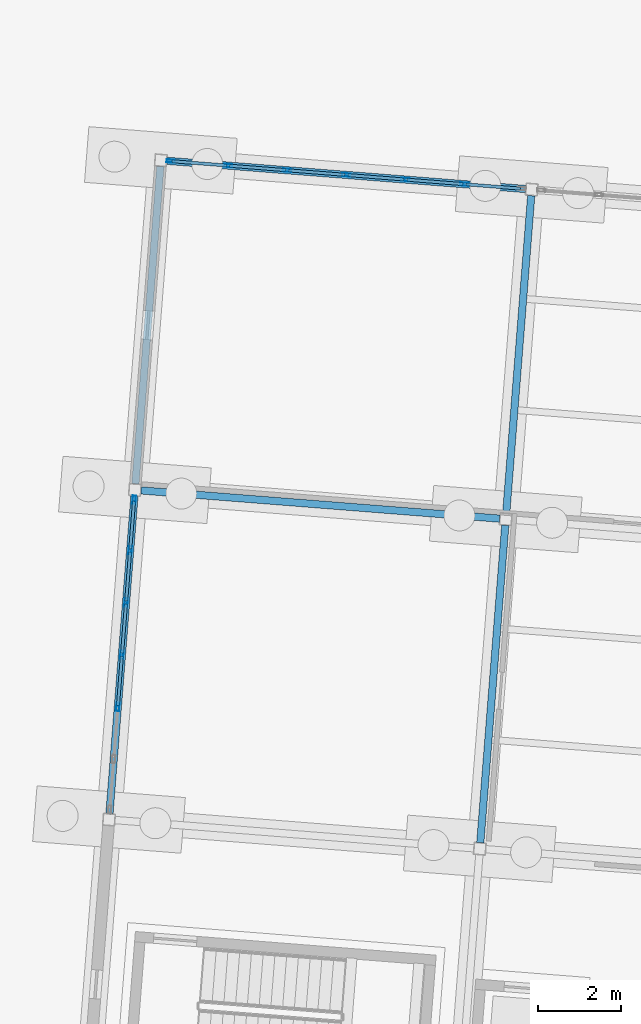
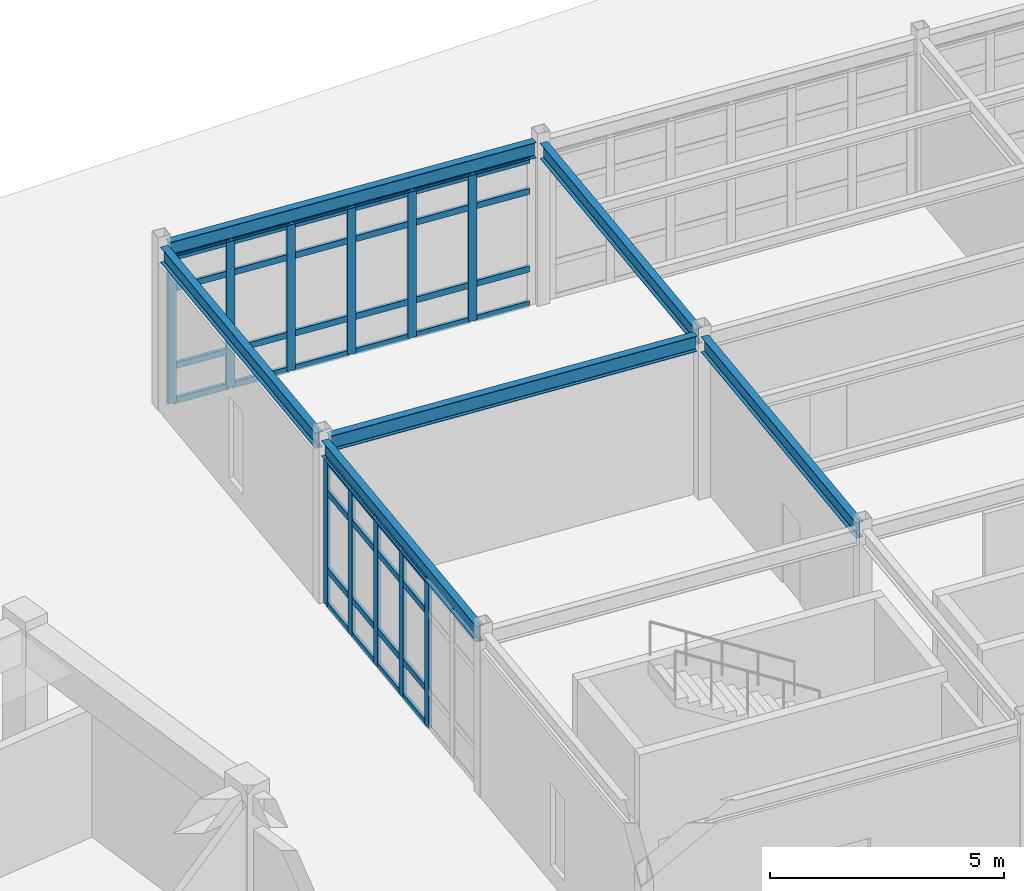
# One storey, part 77 of 154: 51 members, 6 beams, 2 elements without a shape of their own.
"""IFC4 building model written with IfcOpenShell, lengths in metres."""

import ifcopenshell
import ifcopenshell.guid

model = None  # the IFC model being written
_history = None  # IfcOwnerHistory: only IFC2X3 demands one
_inside = {}  # id of a spatial element -> (the spatial element, [elements in it])
_under = {}  # id of a project, library or spatial element -> (it, [spatial elements below it])
_declared = {}  # id of a project -> (the project, [libraries it declares])
_typed = {}  # id of a type object -> (the type object, [elements of that type])
_made_of = {}  # id of a material, layer set ... -> (it, [elements and type objects made of it])


def new_model(schema):
    """Start an empty IFC model of exactly this schema.

    Asked for "IFC4X3", IfcOpenShell would pick the latest addendum, in which some entities
    have other attributes; the version numbers below select the first issue.
    IFC2X3 requires an IfcOwnerHistory on every rooted entity: one is made here for all.
    """
    global model, _history
    if schema == "IFC4X3":
        model = ifcopenshell.file(schema_version=(4, 3, 0, 0))
    else:
        model = ifcopenshell.file(schema=schema)
    _inside.clear()
    _under.clear()
    _declared.clear()
    _typed.clear()
    _made_of.clear()
    _history = None
    if model.schema == "IFC2X3":
        org = make("IfcOrganization", Name="unknown")
        user = make(
            "IfcPersonAndOrganization",
            ThePerson=make("IfcPerson", FamilyName="unknown"),
            TheOrganization=org,
        )
        app = make(
            "IfcApplication",
            ApplicationDeveloper=org,
            Version="unknown",
            ApplicationFullName="unknown",
            ApplicationIdentifier="unknown",
        )
        _history = make(
            "IfcOwnerHistory",
            OwningUser=user,
            OwningApplication=app,
            ChangeAction="ADDED",
            CreationDate=0,
        )
    return model


def make(cls, **values):
    """One entity of the class cls with the attributes given. An attribute that is None is left unset."""
    return model.create_entity(
        cls, **{name: value for name, value in values.items() if value is not None}
    )


def rooted(cls, **values):
    """An entity with a GlobalId (a new one), such as an element, a storey or a relation."""
    return make(cls, GlobalId=ifcopenshell.guid.new(), OwnerHistory=_history, **values)


def si_unit(unit_type, name, prefix=None):
    """IfcSIUnit, for example si_unit("LENGTHUNIT", "METRE", prefix="MILLI")."""
    return make("IfcSIUnit", UnitType=unit_type, Prefix=prefix, Name=name)


def assignment(units):
    """IfcUnitAssignment: the units of a project."""
    return None if units is None else make("IfcUnitAssignment", Units=units)


def point(xyz):
    """IfcCartesianPoint."""
    return None if xyz is None else make("IfcCartesianPoint", Coordinates=xyz)


def direction(xyz):
    """IfcDirection."""
    return None if xyz is None else make("IfcDirection", DirectionRatios=xyz)


def frame(location, z_axis=None, x_axis=None):
    """IfcAxis2Placement3D, a coordinate frame: its origin and axes. An axis left out is left unset."""
    return make(
        "IfcAxis2Placement3D",
        Location=point(location),
        Axis=direction(z_axis),
        RefDirection=direction(x_axis),
    )


def frame_2d(location, x_axis=None):
    """IfcAxis2Placement2D, a coordinate frame in the plane: its origin and x axis."""
    return make(
        "IfcAxis2Placement2D", Location=point(location), RefDirection=direction(x_axis)
    )


def origin():
    """The frame at (0, 0, 0) with its axes left unset."""
    return frame((0.0, 0.0, 0.0))


def origin_2d():
    """The frame at (0, 0) in the plane with its x axis left unset."""
    return frame_2d((0.0, 0.0))


def place(relative_to, where):
    """IfcLocalPlacement: puts the frame where relative to a parent placement (None: the world)."""
    return make(
        "IfcLocalPlacement", PlacementRelTo=relative_to, RelativePlacement=where
    )


def context(
    kind, dimensions, precision=None, world=None, true_north=None, identifier=None
):
    """IfcGeometricRepresentationContext, for example the 3D "Model" context."""
    return make(
        "IfcGeometricRepresentationContext",
        ContextIdentifier=identifier,
        ContextType=kind,
        CoordinateSpaceDimension=dimensions,
        Precision=precision,
        WorldCoordinateSystem=world,
        TrueNorth=true_north,
    )


def subcontext(parent, identifier, kind, view, scale=None):
    """IfcGeometricRepresentationSubContext, for example "Body" below "Model"."""
    return make(
        "IfcGeometricRepresentationSubContext",
        ContextIdentifier=identifier,
        ContextType=kind,
        ParentContext=parent,
        TargetScale=scale,
        TargetView=view,
    )


def project(units=None, contexts=None):
    """IfcProject with its units and contexts."""
    return rooted(
        "IfcProject",
        Name="project",
        RepresentationContexts=contexts,
        UnitsInContext=assignment(units),
    )


def spatial(cls, under=None, at=None, **own):
    """A site, building, storey or space (cls), placed at a placement, below another one or the project."""
    s = rooted(cls, ObjectPlacement=at, **own)
    if under is not None:
        _under.setdefault(under.id(), (under, []))[1].append(s)
    return s


def profile(cls, at=None, kind="AREA", **sizes):
    """A parametric profile (cls). Its sizes go by their IFC names, for example OverallWidth=200.0."""
    return make(cls, ProfileType=kind, Position=at, **sizes)


def hollow_rectangle(**sizes):
    """IfcRectangleHollowProfileDef."""
    return profile("IfcRectangleHollowProfileDef", **sizes)


def i_section(**sizes):
    """IfcIShapeProfileDef."""
    return profile("IfcIShapeProfileDef", **sizes)


def extrude(swept, where, along, depth):
    """IfcExtrudedAreaSolid: the profile swept, set in the frame where, extruded along a direction by depth."""
    return make(
        "IfcExtrudedAreaSolid",
        SweptArea=swept,
        Position=where,
        ExtrudedDirection=direction(along),
        Depth=depth,
    )


def shape(context_of_items, identifier, shape_type, items):
    """IfcShapeRepresentation: the items that make up one representation, for example the "Body"."""
    return make(
        "IfcShapeRepresentation",
        ContextOfItems=context_of_items,
        RepresentationIdentifier=identifier,
        RepresentationType=shape_type,
        Items=items,
    )


def material(Name=None, Category=None):
    """IfcMaterial."""
    return make("IfcMaterial", Name=Name, Category=Category)


def material_profile(
    of_material, cross_section, Name=None, Category=None, Priority=None
):
    """IfcMaterialProfile: a cross section and its material."""
    return make(
        "IfcMaterialProfile",
        Name=Name,
        Material=of_material,
        Profile=cross_section,
        Priority=Priority,
        Category=Category,
    )


def profile_set(profiles, Name=None, composite=None):
    """IfcMaterialProfileSet."""
    return make(
        "IfcMaterialProfileSet",
        Name=Name,
        MaterialProfiles=profiles,
        CompositeProfile=composite,
    )


def made_of(thing, what):
    """Note that an element or type object is made of a material, layer set ...; save() writes the relation."""
    if what is not None:
        _made_of.setdefault(what.id(), (what, []))[1].append(thing)
    return thing


def type_object(cls, material=None, **own):
    """A type object (cls), such as IfcWallType, which elements share."""
    return made_of(rooted(cls, **own), material)


def element(
    cls,
    number,
    at=None,
    inside=None,
    cuts=None,
    type_object=None,
    material=None,
    context=None,
    identifier="Body",
    shape_type=None,
    held_by="IfcProductDefinitionShape",
    body=None,
    shapes=None,
    **own,
):
    """One element of the class cls, such as IfcWall. Its Tag is "e" and its number.

    at: its placement. inside: the storey or other place that contains it. cuts: it is an
    opening in that element (IfcRelVoidsElement). A single representation is given by context,
    identifier, shape_type and body (its items); several are given by shapes. held_by: the class
    of the entity that holds the representations. save() writes the other relations.
    """
    e = rooted(cls, Tag="e%d" % number, ObjectPlacement=at, **own)
    if body is not None:
        shapes = [shape(context, identifier, shape_type, body)]
    if shapes is not None:
        e.Representation = make(held_by, Representations=shapes)
    if inside is not None:
        _inside.setdefault(inside.id(), (inside, []))[1].append(e)
    if cuts is not None:
        rooted(
            "IfcRelVoidsElement", RelatingBuildingElement=cuts, RelatedOpeningElement=e
        )
    if type_object is not None:
        _typed.setdefault(type_object.id(), (type_object, []))[1].append(e)
    return made_of(e, material)


def aggregate(whole, parts):
    """IfcRelAggregates: a whole, such as a stair, and the parts it consists of."""
    return rooted("IfcRelAggregates", RelatingObject=whole, RelatedObjects=parts)


def save(model, path):
    """Write the relations noted so far, then the file.

    IfcRelAggregates (storeys below a building ...), IfcRelContainedInSpatialStructure (elements
    in a storey), IfcRelDefinesByType, IfcRelAssociatesMaterial and IfcRelDeclares: one each for
    every whole, place, type object, material and project.
    """
    for whole, parts in _under.values():
        aggregate(whole, parts)
    for where, things in _inside.values():
        rooted(
            "IfcRelContainedInSpatialStructure",
            RelatedElements=things,
            RelatingStructure=where,
        )
    for kind, things in _typed.values():
        rooted("IfcRelDefinesByType", RelatedObjects=things, RelatingType=kind)
    for what, things in _made_of.values():
        rooted("IfcRelAssociatesMaterial", RelatedObjects=things, RelatingMaterial=what)
    for by, libraries in _declared.values():
        rooted("IfcRelDeclares", RelatingContext=by, RelatedDefinitions=libraries)
    model.write(path)


model = new_model("IFC4")

# Units and contexts
model_context = context("Model", 3, precision=1e-05, world=origin(), true_north=direction((0.0, 1.0)))
body_context = subcontext(model_context, "Body", "Model", "MODEL_VIEW")
ifc_project = project(units=[si_unit("LENGTHUNIT", "METRE"), si_unit("AREAUNIT", "SQUARE_METRE"), si_unit("VOLUMEUNIT", "CUBIC_METRE"), si_unit("PLANEANGLEUNIT", "RADIAN"), si_unit("MASSUNIT", "GRAM", prefix="KILO")], contexts=[model_context])

# Site, building, storey
site_placement = place(None, origin())
site = spatial("IfcSite", under=ifc_project, at=site_placement, CompositionType="ELEMENT")
building_placement = place(site_placement, origin())
building = spatial("IfcBuilding", under=site, at=building_placement, Name="Kestramere Prow Commons", CompositionType="ELEMENT")
storey_placement = place(building_placement, origin())
storey = spatial("IfcBuildingStorey", under=building, at=storey_placement, Name="L00", CompositionType="ELEMENT", Elevation=0.0)

# Beams
ifc_material_1 = material(Name="Steel S355JR", Category="steel")
ifc_material_profile_1 = material_profile(ifc_material_1, i_section(OverallWidth=0.177978515625, OverallDepth=0.406494140625, WebThickness=0.0078125, FlangeThickness=0.0126953125, FilletRadius=0.01025390625, at=origin_2d()), Name="UB 406x178x60")
ifc_profile_set_1 = profile_set([ifc_material_profile_1], Name="Steel S355JR")
beam_type_1 = type_object("IfcBeamType", Name="BM-NR-01 UB 406x178x60", PredefinedType="BEAM", material=ifc_profile_set_1)
beam_1_placement = place(storey_placement, frame((70.0048828125, 101.43896484375, 4.046875), z_axis=(0.996917066238, -0.078462494502, 0.0), x_axis=(0.078462494502, 0.996917066238, 0.0)))
element("IfcBeam", 1, at=beam_1_placement, inside=storey, type_object=beam_type_1, Name="Nursery L00 Beam U 3-1", PredefinedType="BEAM", context=body_context, shape_type="SweptSolid", body=[
    extrude(i_section(OverallWidth=0.177978515625, OverallDepth=0.406494140625, WebThickness=0.0078125, FlangeThickness=0.0126953125, FilletRadius=0.01025390625, at=origin_2d()), origin(), (0.0, 0.0, 1.0), 8.699951171875),
])
for number, where, z_axis, x_axis, name in (
    (2, (78.211669921875, 92.918701171875, 4.046875), (0.078473620365, 0.996916190513, 0.0), (-0.996916190513, 0.078473620365, 0.0), "Nursery L00 Beam V 2-2"),
    (3, (78.83935546875, 100.89404296875, 4.046875), (0.078473620365, 0.996916190513, 0.0), (-0.996916190513, 0.078473620365, 0.0), "Nursery L00 Beam V 2-3"),
):
    element("IfcBeam", number, at=place(storey_placement, frame(where, z_axis=z_axis, x_axis=x_axis)), inside=storey, type_object=beam_type_1, Name=name, PredefinedType="BEAM", context=body_context, shape_type="SweptSolid", body=[
        extrude(i_section(OverallWidth=0.177978515625, OverallDepth=0.406494140625, WebThickness=0.0078125, FlangeThickness=0.0126953125, FilletRadius=0.01025390625, at=origin_2d()), origin(), (0.0, 0.0, 1.0), 7.699951171875),
    ])
ifc_material_profile_2 = material_profile(ifc_material_1, i_section(OverallWidth=0.177978515625, OverallDepth=0.406494140625, WebThickness=0.0078125, FlangeThickness=0.0126953125, FilletRadius=0.01025390625, at=origin_2d()), Name="UB 406x178x60")
ifc_profile_set_2 = profile_set([ifc_material_profile_2], Name="Steel S355JR")
beam_type_2 = type_object("IfcBeamType", Name="BM-NR-01 UB 406x178x60 (EX)", PredefinedType="BEAM", material=ifc_profile_set_2)
beam_2_placement = place(storey_placement, frame((70.632568359375, 109.414306640625, 4.046875), z_axis=(0.996917066238, -0.078462494502, 0.0), x_axis=(0.078462494502, 0.996917066238, 0.0)))
element("IfcBeam", 4, at=beam_2_placement, inside=storey, type_object=beam_type_2, Name="Nursery L00 Beam U 4-1", PredefinedType="BEAM", context=body_context, shape_type="SweptSolid", body=[
    extrude(i_section(OverallWidth=0.177978515625, OverallDepth=0.406494140625, WebThickness=0.0078125, FlangeThickness=0.0126953125, FilletRadius=0.01025390625, at=origin_2d()), origin(), (0.0, 0.0, 1.0), 8.699951171875),
])
for number, where, z_axis, x_axis, name in (
    (5, (69.239501953125, 93.624755859375, 4.046875), (0.078442108986, 0.996918670473, 0.0), (-0.996918670473, 0.078442108986, 0.0), "Nursery L00 Beam V 1-2"),
    (6, (69.8671875, 101.60009765625, 4.046875), (0.078442108986, 0.996918670473, 0.0), (-0.996918670473, 0.078442108986, 0.0), "Nursery L00 Beam V 1-3"),
):
    element("IfcBeam", number, at=place(storey_placement, frame(where, z_axis=z_axis, x_axis=x_axis)), inside=storey, type_object=beam_type_2, Name=name, PredefinedType="BEAM", context=body_context, shape_type="SweptSolid", body=[
        extrude(i_section(OverallWidth=0.177978515625, OverallDepth=0.406494140625, WebThickness=0.0078125, FlangeThickness=0.0126953125, FilletRadius=0.01025390625, at=origin_2d()), origin(), (0.0, 0.0, 1.0), 7.699951171875),
    ])

# Curtain wall, members
ifc_material_2 = material(Name="Anodised Aluminium and Low-E Glass", Category="aluminium")
curtain_wall_type_1 = type_object("IfcCurtainWallType", Name="CW-13 Glazed Curtain Wall 8600x3830", PredefinedType="USERDEFINED", material=ifc_material_2)
curtain_wall_1_placement = place(storey_placement, origin())
curtain_wall_1 = element("IfcCurtainWall", 7, at=curtain_wall_1_placement, inside=storey, type_object=curtain_wall_type_1, Name="Nursery L00 North Garden Glazing 1", ObjectType="GLAZED CURTAIN WALL", PredefinedType="USERDEFINED")
ifc_material_3 = material(Name="Anodised Aluminium 6063-T6", Category="aluminium")
ifc_material_profile_3 = material_profile(ifc_material_3, hollow_rectangle(XDim=0.074951171875, YDim=0.199951171875, WallThickness=0.0048828125, at=origin_2d()), Name="ALU-MUL 75x200")
ifc_profile_set_3 = profile_set([ifc_material_profile_3], Name="Anodised Aluminium 6063-T6")
member_type_1 = type_object("IfcMemberType", Name="CW-MUL-75x200", PredefinedType="MULLION", material=ifc_profile_set_3)
member_1_placement = place(storey_placement, frame((70.7197265625, 109.407470703125, 0.0), z_axis=(0.0, 0.0, 1.0), x_axis=(0.078459070568, 0.996917335713, 0.0)))
member_1 = element("IfcMember", 8, at=member_1_placement, type_object=member_type_1, Name="CW-13 mullion 1", PredefinedType="MULLION", context=body_context, shape_type="SweptSolid", body=[
    extrude(hollow_rectangle(XDim=0.074951171875, YDim=0.199951171875, WallThickness=0.0048828125, at=origin_2d()), origin(), (0.0, 0.0, 1.0), 3.830078125),
])
member_2_placement = place(storey_placement, frame((72.111328125, 109.2978515625, 0.0), z_axis=(0.0, 0.0, 1.0), x_axis=(0.078459070568, 0.996917335713, 0.0)))
member_2 = element("IfcMember", 9, at=member_2_placement, type_object=member_type_1, Name="CW-13 mullion 2", PredefinedType="MULLION", context=body_context, shape_type="SweptSolid", body=[
    extrude(hollow_rectangle(XDim=0.074951171875, YDim=0.199951171875, WallThickness=0.0048828125, at=origin_2d()), origin(), (0.0, 0.0, 1.0), 3.830078125),
])
member_3_placement = place(storey_placement, frame((73.540283203125, 109.185302734375, 0.0), z_axis=(0.0, 0.0, 1.0), x_axis=(0.078459070568, 0.996917335713, 0.0)))
member_3 = element("IfcMember", 10, at=member_3_placement, type_object=member_type_1, Name="CW-13 mullion 3", PredefinedType="MULLION", context=body_context, shape_type="SweptSolid", body=[
    extrude(hollow_rectangle(XDim=0.074951171875, YDim=0.199951171875, WallThickness=0.0048828125, at=origin_2d()), origin(), (0.0, 0.0, 1.0), 3.830078125),
])
member_4_placement = place(storey_placement, frame((74.96923828125, 109.072998046875, 0.0), z_axis=(0.0, 0.0, 1.0), x_axis=(0.078459070568, 0.996917335713, 0.0)))
member_4 = element("IfcMember", 11, at=member_4_placement, type_object=member_type_1, Name="CW-13 mullion 4", PredefinedType="MULLION", context=body_context, shape_type="SweptSolid", body=[
    extrude(hollow_rectangle(XDim=0.074951171875, YDim=0.199951171875, WallThickness=0.0048828125, at=origin_2d()), origin(), (0.0, 0.0, 1.0), 3.830078125),
])
member_5_placement = place(storey_placement, frame((76.39794921875, 108.96044921875, 0.0), z_axis=(0.0, 0.0, 1.0), x_axis=(0.078459070568, 0.996917335713, 0.0)))
member_5 = element("IfcMember", 12, at=member_5_placement, type_object=member_type_1, Name="CW-13 mullion 5", PredefinedType="MULLION", context=body_context, shape_type="SweptSolid", body=[
    extrude(hollow_rectangle(XDim=0.074951171875, YDim=0.199951171875, WallThickness=0.0048828125, at=origin_2d()), origin(), (0.0, 0.0, 1.0), 3.830078125),
])
member_6_placement = place(storey_placement, frame((77.826904296875, 108.84814453125, 0.0), z_axis=(0.0, 0.0, 1.0), x_axis=(0.078459070568, 0.996917335713, 0.0)))
member_6 = element("IfcMember", 13, at=member_6_placement, type_object=member_type_1, Name="CW-13 mullion 6", PredefinedType="MULLION", context=body_context, shape_type="SweptSolid", body=[
    extrude(hollow_rectangle(XDim=0.074951171875, YDim=0.199951171875, WallThickness=0.0048828125, at=origin_2d()), origin(), (0.0, 0.0, 1.0), 3.830078125),
])

curtain_wall_type_2 = type_object("IfcCurtainWallType", Name="CW-14 Glazed Curtain Wall 7600x3830", PredefinedType="USERDEFINED", material=ifc_material_2)
curtain_wall_2_placement = place(storey_placement, origin())
curtain_wall_2 = element("IfcCurtainWall", 14, at=curtain_wall_2_placement, inside=storey, type_object=curtain_wall_type_2, Name="Nursery L00 W End Glazing", ObjectType="GLAZED CURTAIN WALL", PredefinedType="USERDEFINED")
member_7_placement = place(storey_placement, frame((69.442138671875, 96.2001953125, 0.0), z_axis=(0.0, 0.0, 1.0), x_axis=(-0.996917335259, 0.078459076345, 0.0)))
member_7 = element("IfcMember", 15, at=member_7_placement, type_object=member_type_1, Name="CW-14 mullion 3", PredefinedType="MULLION", context=body_context, shape_type="SweptSolid", body=[
    extrude(hollow_rectangle(XDim=0.074951171875, YDim=0.199951171875, WallThickness=0.0048828125, at=origin_2d()), origin(), (0.0, 0.0, 1.0), 3.830078125),
])
member_8_placement = place(storey_placement, frame((69.54150390625, 97.462890625, 0.0), z_axis=(0.0, 0.0, 1.0), x_axis=(-0.996917335259, 0.078459076345, 0.0)))
member_8 = element("IfcMember", 16, at=member_8_placement, type_object=member_type_1, Name="CW-14 mullion 4", PredefinedType="MULLION", context=body_context, shape_type="SweptSolid", body=[
    extrude(hollow_rectangle(XDim=0.074951171875, YDim=0.199951171875, WallThickness=0.0048828125, at=origin_2d()), origin(), (0.0, 0.0, 1.0), 3.830078125),
])
member_9_placement = place(storey_placement, frame((69.640869140625, 98.725830078125, 0.0), z_axis=(0.0, 0.0, 1.0), x_axis=(-0.996917335259, 0.078459076345, 0.0)))
member_9 = element("IfcMember", 17, at=member_9_placement, type_object=member_type_1, Name="CW-14 mullion 5", PredefinedType="MULLION", context=body_context, shape_type="SweptSolid", body=[
    extrude(hollow_rectangle(XDim=0.074951171875, YDim=0.199951171875, WallThickness=0.0048828125, at=origin_2d()), origin(), (0.0, 0.0, 1.0), 3.830078125),
])
member_10_placement = place(storey_placement, frame((69.740234375, 99.988525390625, 0.0), z_axis=(0.0, 0.0, 1.0), x_axis=(-0.996917335259, 0.078459076345, 0.0)))
member_10 = element("IfcMember", 18, at=member_10_placement, type_object=member_type_1, Name="CW-14 mullion 6", PredefinedType="MULLION", context=body_context, shape_type="SweptSolid", body=[
    extrude(hollow_rectangle(XDim=0.074951171875, YDim=0.199951171875, WallThickness=0.0048828125, at=origin_2d()), origin(), (0.0, 0.0, 1.0), 3.830078125),
])
member_11_placement = place(storey_placement, frame((69.836669921875, 101.2138671875, 0.0), z_axis=(0.0, 0.0, 1.0), x_axis=(-0.996917335259, 0.078459076345, 0.0)))
member_11 = element("IfcMember", 19, at=member_11_placement, type_object=member_type_1, Name="CW-14 mullion 7", PredefinedType="MULLION", context=body_context, shape_type="SweptSolid", body=[
    extrude(hollow_rectangle(XDim=0.074951171875, YDim=0.199951171875, WallThickness=0.0048828125, at=origin_2d()), origin(), (0.0, 0.0, 1.0), 3.830078125),
])

# Member
ifc_material_profile_4 = material_profile(ifc_material_3, hollow_rectangle(XDim=0.074951171875, YDim=0.159912109375, WallThickness=0.0048828125, at=origin_2d()), Name="ALU-TRN 75x160")
ifc_profile_set_4 = profile_set([ifc_material_profile_4], Name="Anodised Aluminium 6063-T6")
member_type_2 = type_object("IfcMemberType", Name="CW-TRN-75x160", PredefinedType="USERDEFINED", material=ifc_profile_set_4)
member_12_placement = place(storey_placement, frame((70.757080078125, 109.404541015625, 0.03759765625), z_axis=(0.996910347642, -0.078547811967, 0.0), x_axis=(0.078547811967, 0.996910347642, 0.0)))
member_12 = element("IfcMember", 20, at=member_12_placement, type_object=member_type_2, Name="CW-13 transom 1.1", ObjectType="TRANSOM", PredefinedType="USERDEFINED", context=body_context, shape_type="SweptSolid", body=[
    extrude(hollow_rectangle(XDim=0.074951171875, YDim=0.159912109375, WallThickness=0.0048828125, at=origin_2d()), origin(), (0.0, 0.0, 1.0), 1.321044921875),
])

member_13_placement = place(storey_placement, frame((70.757080078125, 109.404541015625, 0.949951171875), z_axis=(0.996910347642, -0.078547811967, 0.0), x_axis=(0.078547811967, 0.996910347642, 0.0)))
member_13 = element("IfcMember", 21, at=member_13_placement, type_object=member_type_2, Name="CW-13 transom 1.2", ObjectType="TRANSOM", PredefinedType="USERDEFINED", context=body_context, shape_type="SweptSolid", body=[
    extrude(hollow_rectangle(XDim=0.074951171875, YDim=0.159912109375, WallThickness=0.0048828125, at=origin_2d()), origin(), (0.0, 0.0, 1.0), 1.321044921875),
])

member_14_placement = place(storey_placement, frame((70.757080078125, 109.404541015625, 2.97998046875), z_axis=(0.996910347642, -0.078547811967, 0.0), x_axis=(0.078547811967, 0.996910347642, 0.0)))
member_14 = element("IfcMember", 22, at=member_14_placement, type_object=member_type_2, Name="CW-13 transom 1.3", ObjectType="TRANSOM", PredefinedType="USERDEFINED", context=body_context, shape_type="SweptSolid", body=[
    extrude(hollow_rectangle(XDim=0.074951171875, YDim=0.159912109375, WallThickness=0.0048828125, at=origin_2d()), origin(), (0.0, 0.0, 1.0), 1.321044921875),
])

member_15_placement = place(storey_placement, frame((70.757080078125, 109.404541015625, 3.79248046875), z_axis=(0.996910347642, -0.078547811967, 0.0), x_axis=(0.078547811967, 0.996910347642, 0.0)))
member_15 = element("IfcMember", 23, at=member_15_placement, type_object=member_type_2, Name="CW-13 transom 1.4", ObjectType="TRANSOM", PredefinedType="USERDEFINED", context=body_context, shape_type="SweptSolid", body=[
    extrude(hollow_rectangle(XDim=0.074951171875, YDim=0.159912109375, WallThickness=0.0048828125, at=origin_2d()), origin(), (0.0, 0.0, 1.0), 1.321044921875),
])

member_16_placement = place(storey_placement, frame((72.148681640625, 109.294921875, 0.03759765625), z_axis=(0.996911122472, -0.078537977379, 0.0), x_axis=(0.078537977379, 0.996911122472, 0.0)))
member_16 = element("IfcMember", 24, at=member_16_placement, type_object=member_type_2, Name="CW-13 transom 2.1", ObjectType="TRANSOM", PredefinedType="USERDEFINED", context=body_context, shape_type="SweptSolid", body=[
    extrude(hollow_rectangle(XDim=0.074951171875, YDim=0.159912109375, WallThickness=0.0048828125, at=origin_2d()), origin(), (0.0, 0.0, 1.0), 1.3583984375),
])

member_17_placement = place(storey_placement, frame((72.148681640625, 109.294921875, 0.949951171875), z_axis=(0.996911122472, -0.078537977379, 0.0), x_axis=(0.078537977379, 0.996911122472, 0.0)))
member_17 = element("IfcMember", 25, at=member_17_placement, type_object=member_type_2, Name="CW-13 transom 2.2", ObjectType="TRANSOM", PredefinedType="USERDEFINED", context=body_context, shape_type="SweptSolid", body=[
    extrude(hollow_rectangle(XDim=0.074951171875, YDim=0.159912109375, WallThickness=0.0048828125, at=origin_2d()), origin(), (0.0, 0.0, 1.0), 1.3583984375),
])

member_18_placement = place(storey_placement, frame((72.148681640625, 109.294921875, 2.97998046875), z_axis=(0.996911122472, -0.078537977379, 0.0), x_axis=(0.078537977379, 0.996911122472, 0.0)))
member_18 = element("IfcMember", 26, at=member_18_placement, type_object=member_type_2, Name="CW-13 transom 2.3", ObjectType="TRANSOM", PredefinedType="USERDEFINED", context=body_context, shape_type="SweptSolid", body=[
    extrude(hollow_rectangle(XDim=0.074951171875, YDim=0.159912109375, WallThickness=0.0048828125, at=origin_2d()), origin(), (0.0, 0.0, 1.0), 1.3583984375),
])

member_19_placement = place(storey_placement, frame((72.148681640625, 109.294921875, 3.79248046875), z_axis=(0.996911122472, -0.078537977379, 0.0), x_axis=(0.078537977379, 0.996911122472, 0.0)))
member_19 = element("IfcMember", 27, at=member_19_placement, type_object=member_type_2, Name="CW-13 transom 2.4", ObjectType="TRANSOM", PredefinedType="USERDEFINED", context=body_context, shape_type="SweptSolid", body=[
    extrude(hollow_rectangle(XDim=0.074951171875, YDim=0.159912109375, WallThickness=0.0048828125, at=origin_2d()), origin(), (0.0, 0.0, 1.0), 1.3583984375),
])

member_20_placement = place(storey_placement, frame((73.57763671875, 109.182373046875, 0.03759765625), z_axis=(0.996924074145, -0.078373403593, 0.0), x_axis=(0.078373403593, 0.996924074145, 0.0)))
member_20 = element("IfcMember", 28, at=member_20_placement, type_object=member_type_2, Name="CW-13 transom 3.1", ObjectType="TRANSOM", PredefinedType="USERDEFINED", context=body_context, shape_type="SweptSolid", body=[
    extrude(hollow_rectangle(XDim=0.074951171875, YDim=0.159912109375, WallThickness=0.0048828125, at=origin_2d()), origin(), (0.0, 0.0, 1.0), 1.358154296875),
])

member_21_placement = place(storey_placement, frame((73.57763671875, 109.182373046875, 0.949951171875), z_axis=(0.996924074145, -0.078373403593, 0.0), x_axis=(0.078373403593, 0.996924074145, 0.0)))
member_21 = element("IfcMember", 29, at=member_21_placement, type_object=member_type_2, Name="CW-13 transom 3.2", ObjectType="TRANSOM", PredefinedType="USERDEFINED", context=body_context, shape_type="SweptSolid", body=[
    extrude(hollow_rectangle(XDim=0.074951171875, YDim=0.159912109375, WallThickness=0.0048828125, at=origin_2d()), origin(), (0.0, 0.0, 1.0), 1.358154296875),
])

member_22_placement = place(storey_placement, frame((73.57763671875, 109.182373046875, 2.97998046875), z_axis=(0.996924074145, -0.078373403593, 0.0), x_axis=(0.078373403593, 0.996924074145, 0.0)))
member_22 = element("IfcMember", 30, at=member_22_placement, type_object=member_type_2, Name="CW-13 transom 3.3", ObjectType="TRANSOM", PredefinedType="USERDEFINED", context=body_context, shape_type="SweptSolid", body=[
    extrude(hollow_rectangle(XDim=0.074951171875, YDim=0.159912109375, WallThickness=0.0048828125, at=origin_2d()), origin(), (0.0, 0.0, 1.0), 1.358154296875),
])

member_23_placement = place(storey_placement, frame((73.57763671875, 109.182373046875, 3.79248046875), z_axis=(0.996924074145, -0.078373403593, 0.0), x_axis=(0.078373403593, 0.996924074145, 0.0)))
member_23 = element("IfcMember", 31, at=member_23_placement, type_object=member_type_2, Name="CW-13 transom 3.4", ObjectType="TRANSOM", PredefinedType="USERDEFINED", context=body_context, shape_type="SweptSolid", body=[
    extrude(hollow_rectangle(XDim=0.074951171875, YDim=0.159912109375, WallThickness=0.0048828125, at=origin_2d()), origin(), (0.0, 0.0, 1.0), 1.358154296875),
])

member_24_placement = place(storey_placement, frame((75.006591796875, 109.070068359375, 0.03759765625), z_axis=(0.996910013618, -0.078552051199, 0.0), x_axis=(0.078552051199, 0.996910013618, 0.0)))
member_24 = element("IfcMember", 32, at=member_24_placement, type_object=member_type_2, Name="CW-13 transom 4.1", ObjectType="TRANSOM", PredefinedType="USERDEFINED", context=body_context, shape_type="SweptSolid", body=[
    extrude(hollow_rectangle(XDim=0.074951171875, YDim=0.159912109375, WallThickness=0.0048828125, at=origin_2d()), origin(), (0.0, 0.0, 1.0), 1.358154296875),
])

member_25_placement = place(storey_placement, frame((75.006591796875, 109.070068359375, 0.949951171875), z_axis=(0.996910013618, -0.078552051199, 0.0), x_axis=(0.078552051199, 0.996910013618, 0.0)))
member_25 = element("IfcMember", 33, at=member_25_placement, type_object=member_type_2, Name="CW-13 transom 4.2", ObjectType="TRANSOM", PredefinedType="USERDEFINED", context=body_context, shape_type="SweptSolid", body=[
    extrude(hollow_rectangle(XDim=0.074951171875, YDim=0.159912109375, WallThickness=0.0048828125, at=origin_2d()), origin(), (0.0, 0.0, 1.0), 1.358154296875),
])

member_26_placement = place(storey_placement, frame((75.006591796875, 109.070068359375, 2.97998046875), z_axis=(0.996910013618, -0.078552051199, 0.0), x_axis=(0.078552051199, 0.996910013618, 0.0)))
member_26 = element("IfcMember", 34, at=member_26_placement, type_object=member_type_2, Name="CW-13 transom 4.3", ObjectType="TRANSOM", PredefinedType="USERDEFINED", context=body_context, shape_type="SweptSolid", body=[
    extrude(hollow_rectangle(XDim=0.074951171875, YDim=0.159912109375, WallThickness=0.0048828125, at=origin_2d()), origin(), (0.0, 0.0, 1.0), 1.358154296875),
])

member_27_placement = place(storey_placement, frame((75.006591796875, 109.070068359375, 3.79248046875), z_axis=(0.996910013618, -0.078552051199, 0.0), x_axis=(0.078552051199, 0.996910013618, 0.0)))
member_27 = element("IfcMember", 35, at=member_27_placement, type_object=member_type_2, Name="CW-13 transom 4.4", ObjectType="TRANSOM", PredefinedType="USERDEFINED", context=body_context, shape_type="SweptSolid", body=[
    extrude(hollow_rectangle(XDim=0.074951171875, YDim=0.159912109375, WallThickness=0.0048828125, at=origin_2d()), origin(), (0.0, 0.0, 1.0), 1.358154296875),
])

member_28_placement = place(storey_placement, frame((76.435546875, 108.95751953125, 0.03759765625), z_axis=(0.996924074145, -0.078373403593, 0.0), x_axis=(0.078373403593, 0.996924074145, 0.0)))
member_28 = element("IfcMember", 36, at=member_28_placement, type_object=member_type_2, Name="CW-13 transom 5.1", ObjectType="TRANSOM", PredefinedType="USERDEFINED", context=body_context, shape_type="SweptSolid", body=[
    extrude(hollow_rectangle(XDim=0.074951171875, YDim=0.159912109375, WallThickness=0.0048828125, at=origin_2d()), origin(), (0.0, 0.0, 1.0), 1.358154296875),
])

member_29_placement = place(storey_placement, frame((76.435546875, 108.95751953125, 0.949951171875), z_axis=(0.996924074145, -0.078373403593, 0.0), x_axis=(0.078373403593, 0.996924074145, 0.0)))
member_29 = element("IfcMember", 37, at=member_29_placement, type_object=member_type_2, Name="CW-13 transom 5.2", ObjectType="TRANSOM", PredefinedType="USERDEFINED", context=body_context, shape_type="SweptSolid", body=[
    extrude(hollow_rectangle(XDim=0.074951171875, YDim=0.159912109375, WallThickness=0.0048828125, at=origin_2d()), origin(), (0.0, 0.0, 1.0), 1.358154296875),
])

member_30_placement = place(storey_placement, frame((76.435546875, 108.95751953125, 2.97998046875), z_axis=(0.996924074145, -0.078373403593, 0.0), x_axis=(0.078373403593, 0.996924074145, 0.0)))
member_30 = element("IfcMember", 38, at=member_30_placement, type_object=member_type_2, Name="CW-13 transom 5.3", ObjectType="TRANSOM", PredefinedType="USERDEFINED", context=body_context, shape_type="SweptSolid", body=[
    extrude(hollow_rectangle(XDim=0.074951171875, YDim=0.159912109375, WallThickness=0.0048828125, at=origin_2d()), origin(), (0.0, 0.0, 1.0), 1.358154296875),
])

member_31_placement = place(storey_placement, frame((76.435546875, 108.95751953125, 3.79248046875), z_axis=(0.996924074145, -0.078373403593, 0.0), x_axis=(0.078373403593, 0.996924074145, 0.0)))
member_31 = element("IfcMember", 39, at=member_31_placement, type_object=member_type_2, Name="CW-13 transom 5.4", ObjectType="TRANSOM", PredefinedType="USERDEFINED", context=body_context, shape_type="SweptSolid", body=[
    extrude(hollow_rectangle(XDim=0.074951171875, YDim=0.159912109375, WallThickness=0.0048828125, at=origin_2d()), origin(), (0.0, 0.0, 1.0), 1.358154296875),
])

member_32_placement = place(storey_placement, frame((77.8642578125, 108.844970703125, 0.03759765625), z_axis=(0.996924803157, -0.078364129874, 0.0), x_axis=(0.078364129874, 0.996924803157, 0.0)))
member_32 = element("IfcMember", 40, at=member_32_placement, type_object=member_type_2, Name="CW-13 transom 6.1", ObjectType="TRANSOM", PredefinedType="USERDEFINED", context=body_context, shape_type="SweptSolid", body=[
    extrude(hollow_rectangle(XDim=0.074951171875, YDim=0.159912109375, WallThickness=0.0048828125, at=origin_2d()), origin(), (0.0, 0.0, 1.0), 1.321044921875),
])

member_33_placement = place(storey_placement, frame((77.8642578125, 108.844970703125, 0.949951171875), z_axis=(0.996924803157, -0.078364129874, 0.0), x_axis=(0.078364129874, 0.996924803157, 0.0)))
member_33 = element("IfcMember", 41, at=member_33_placement, type_object=member_type_2, Name="CW-13 transom 6.2", ObjectType="TRANSOM", PredefinedType="USERDEFINED", context=body_context, shape_type="SweptSolid", body=[
    extrude(hollow_rectangle(XDim=0.074951171875, YDim=0.159912109375, WallThickness=0.0048828125, at=origin_2d()), origin(), (0.0, 0.0, 1.0), 1.321044921875),
])

member_34_placement = place(storey_placement, frame((77.8642578125, 108.844970703125, 2.97998046875), z_axis=(0.996924803157, -0.078364129874, 0.0), x_axis=(0.078364129874, 0.996924803157, 0.0)))
member_34 = element("IfcMember", 42, at=member_34_placement, type_object=member_type_2, Name="CW-13 transom 6.3", ObjectType="TRANSOM", PredefinedType="USERDEFINED", context=body_context, shape_type="SweptSolid", body=[
    extrude(hollow_rectangle(XDim=0.074951171875, YDim=0.159912109375, WallThickness=0.0048828125, at=origin_2d()), origin(), (0.0, 0.0, 1.0), 1.321044921875),
])

member_35_placement = place(storey_placement, frame((77.8642578125, 108.844970703125, 3.79248046875), z_axis=(0.996924803157, -0.078364129874, 0.0), x_axis=(0.078364129874, 0.996924803157, 0.0)))
member_35 = element("IfcMember", 43, at=member_35_placement, type_object=member_type_2, Name="CW-13 transom 6.4", ObjectType="TRANSOM", PredefinedType="USERDEFINED", context=body_context, shape_type="SweptSolid", body=[
    extrude(hollow_rectangle(XDim=0.074951171875, YDim=0.159912109375, WallThickness=0.0048828125, at=origin_2d()), origin(), (0.0, 0.0, 1.0), 1.321044921875),
])

aggregate(curtain_wall_1, [member_1, member_2, member_3, member_4, member_5, member_6, member_12, member_13, member_14, member_15, member_16, member_17, member_18, member_19, member_20, member_21, member_22, member_23, member_24, member_25, member_26, member_27, member_28, member_29, member_30, member_31, member_32, member_33, member_34, member_35])

member_36_placement = place(storey_placement, frame((69.445068359375, 96.237548828125, 0.03759765625), z_axis=(0.078466730104, 0.996916732865, 0.0), x_axis=(-0.996916732865, 0.078466730104, 0.0)))
member_36 = element("IfcMember", 44, at=member_36_placement, type_object=member_type_2, Name="CW-14 transom 3.1", ObjectType="TRANSOM", PredefinedType="USERDEFINED", context=body_context, shape_type="SweptSolid", body=[
    extrude(hollow_rectangle(XDim=0.074951171875, YDim=0.159912109375, WallThickness=0.0048828125, at=origin_2d()), origin(), (0.0, 0.0, 1.0), 1.191650390625),
])

member_37_placement = place(storey_placement, frame((69.445068359375, 96.237548828125, 0.949951171875), z_axis=(0.078466730104, 0.996916732865, 0.0), x_axis=(-0.996916732865, 0.078466730104, 0.0)))
member_37 = element("IfcMember", 45, at=member_37_placement, type_object=member_type_2, Name="CW-14 transom 3.2", ObjectType="TRANSOM", PredefinedType="USERDEFINED", context=body_context, shape_type="SweptSolid", body=[
    extrude(hollow_rectangle(XDim=0.074951171875, YDim=0.159912109375, WallThickness=0.0048828125, at=origin_2d()), origin(), (0.0, 0.0, 1.0), 1.191650390625),
])

member_38_placement = place(storey_placement, frame((69.445068359375, 96.237548828125, 2.97998046875), z_axis=(0.078466730104, 0.996916732865, 0.0), x_axis=(-0.996916732865, 0.078466730104, 0.0)))
member_38 = element("IfcMember", 46, at=member_38_placement, type_object=member_type_2, Name="CW-14 transom 3.3", ObjectType="TRANSOM", PredefinedType="USERDEFINED", context=body_context, shape_type="SweptSolid", body=[
    extrude(hollow_rectangle(XDim=0.074951171875, YDim=0.159912109375, WallThickness=0.0048828125, at=origin_2d()), origin(), (0.0, 0.0, 1.0), 1.191650390625),
])

member_39_placement = place(storey_placement, frame((69.445068359375, 96.237548828125, 3.79248046875), z_axis=(0.078466730104, 0.996916732865, 0.0), x_axis=(-0.996916732865, 0.078466730104, 0.0)))
member_39 = element("IfcMember", 47, at=member_39_placement, type_object=member_type_2, Name="CW-14 transom 3.4", ObjectType="TRANSOM", PredefinedType="USERDEFINED", context=body_context, shape_type="SweptSolid", body=[
    extrude(hollow_rectangle(XDim=0.074951171875, YDim=0.159912109375, WallThickness=0.0048828125, at=origin_2d()), origin(), (0.0, 0.0, 1.0), 1.191650390625),
])

member_40_placement = place(storey_placement, frame((69.54443359375, 97.50048828125, 0.03759765625), z_axis=(0.078466730104, 0.996916732865, 0.0), x_axis=(-0.996916732865, 0.078466730104, 0.0)))
member_40 = element("IfcMember", 48, at=member_40_placement, type_object=member_type_2, Name="CW-14 transom 4.1", ObjectType="TRANSOM", PredefinedType="USERDEFINED", context=body_context, shape_type="SweptSolid", body=[
    extrude(hollow_rectangle(XDim=0.074951171875, YDim=0.159912109375, WallThickness=0.0048828125, at=origin_2d()), origin(), (0.0, 0.0, 1.0), 1.191650390625),
])

member_41_placement = place(storey_placement, frame((69.54443359375, 97.50048828125, 0.949951171875), z_axis=(0.078466730104, 0.996916732865, 0.0), x_axis=(-0.996916732865, 0.078466730104, 0.0)))
member_41 = element("IfcMember", 49, at=member_41_placement, type_object=member_type_2, Name="CW-14 transom 4.2", ObjectType="TRANSOM", PredefinedType="USERDEFINED", context=body_context, shape_type="SweptSolid", body=[
    extrude(hollow_rectangle(XDim=0.074951171875, YDim=0.159912109375, WallThickness=0.0048828125, at=origin_2d()), origin(), (0.0, 0.0, 1.0), 1.191650390625),
])

member_42_placement = place(storey_placement, frame((69.54443359375, 97.50048828125, 2.97998046875), z_axis=(0.078466730104, 0.996916732865, 0.0), x_axis=(-0.996916732865, 0.078466730104, 0.0)))
member_42 = element("IfcMember", 50, at=member_42_placement, type_object=member_type_2, Name="CW-14 transom 4.3", ObjectType="TRANSOM", PredefinedType="USERDEFINED", context=body_context, shape_type="SweptSolid", body=[
    extrude(hollow_rectangle(XDim=0.074951171875, YDim=0.159912109375, WallThickness=0.0048828125, at=origin_2d()), origin(), (0.0, 0.0, 1.0), 1.191650390625),
])

member_43_placement = place(storey_placement, frame((69.54443359375, 97.50048828125, 3.79248046875), z_axis=(0.078466730104, 0.996916732865, 0.0), x_axis=(-0.996916732865, 0.078466730104, 0.0)))
member_43 = element("IfcMember", 51, at=member_43_placement, type_object=member_type_2, Name="CW-14 transom 4.4", ObjectType="TRANSOM", PredefinedType="USERDEFINED", context=body_context, shape_type="SweptSolid", body=[
    extrude(hollow_rectangle(XDim=0.074951171875, YDim=0.159912109375, WallThickness=0.0048828125, at=origin_2d()), origin(), (0.0, 0.0, 1.0), 1.191650390625),
])

member_44_placement = place(storey_placement, frame((69.643798828125, 98.76318359375, 0.03759765625), z_axis=(0.078466730104, 0.996916732865, 0.0), x_axis=(-0.996916732865, 0.078466730104, 0.0)))
member_44 = element("IfcMember", 52, at=member_44_placement, type_object=member_type_2, Name="CW-14 transom 5.1", ObjectType="TRANSOM", PredefinedType="USERDEFINED", context=body_context, shape_type="SweptSolid", body=[
    extrude(hollow_rectangle(XDim=0.074951171875, YDim=0.159912109375, WallThickness=0.0048828125, at=origin_2d()), origin(), (0.0, 0.0, 1.0), 1.191650390625),
])

member_45_placement = place(storey_placement, frame((69.643798828125, 98.76318359375, 0.949951171875), z_axis=(0.078466730104, 0.996916732865, 0.0), x_axis=(-0.996916732865, 0.078466730104, 0.0)))
member_45 = element("IfcMember", 53, at=member_45_placement, type_object=member_type_2, Name="CW-14 transom 5.2", ObjectType="TRANSOM", PredefinedType="USERDEFINED", context=body_context, shape_type="SweptSolid", body=[
    extrude(hollow_rectangle(XDim=0.074951171875, YDim=0.159912109375, WallThickness=0.0048828125, at=origin_2d()), origin(), (0.0, 0.0, 1.0), 1.191650390625),
])

member_46_placement = place(storey_placement, frame((69.643798828125, 98.76318359375, 2.97998046875), z_axis=(0.078466730104, 0.996916732865, 0.0), x_axis=(-0.996916732865, 0.078466730104, 0.0)))
member_46 = element("IfcMember", 54, at=member_46_placement, type_object=member_type_2, Name="CW-14 transom 5.3", ObjectType="TRANSOM", PredefinedType="USERDEFINED", context=body_context, shape_type="SweptSolid", body=[
    extrude(hollow_rectangle(XDim=0.074951171875, YDim=0.159912109375, WallThickness=0.0048828125, at=origin_2d()), origin(), (0.0, 0.0, 1.0), 1.191650390625),
])

member_47_placement = place(storey_placement, frame((69.643798828125, 98.76318359375, 3.79248046875), z_axis=(0.078466730104, 0.996916732865, 0.0), x_axis=(-0.996916732865, 0.078466730104, 0.0)))
member_47 = element("IfcMember", 55, at=member_47_placement, type_object=member_type_2, Name="CW-14 transom 5.4", ObjectType="TRANSOM", PredefinedType="USERDEFINED", context=body_context, shape_type="SweptSolid", body=[
    extrude(hollow_rectangle(XDim=0.074951171875, YDim=0.159912109375, WallThickness=0.0048828125, at=origin_2d()), origin(), (0.0, 0.0, 1.0), 1.191650390625),
])

member_48_placement = place(storey_placement, frame((69.7431640625, 100.02587890625, 0.03759765625), z_axis=(0.078475672976, 0.996916028937, 0.0), x_axis=(-0.996916028937, 0.078475672976, 0.0)))
member_48 = element("IfcMember", 56, at=member_48_placement, type_object=member_type_2, Name="CW-14 transom 6.1", ObjectType="TRANSOM", PredefinedType="USERDEFINED", context=body_context, shape_type="SweptSolid", body=[
    extrude(hollow_rectangle(XDim=0.074951171875, YDim=0.159912109375, WallThickness=0.0048828125, at=origin_2d()), origin(), (0.0, 0.0, 1.0), 1.154296875),
])

member_49_placement = place(storey_placement, frame((69.7431640625, 100.02587890625, 0.949951171875), z_axis=(0.078475672976, 0.996916028937, 0.0), x_axis=(-0.996916028937, 0.078475672976, 0.0)))
member_49 = element("IfcMember", 57, at=member_49_placement, type_object=member_type_2, Name="CW-14 transom 6.2", ObjectType="TRANSOM", PredefinedType="USERDEFINED", context=body_context, shape_type="SweptSolid", body=[
    extrude(hollow_rectangle(XDim=0.074951171875, YDim=0.159912109375, WallThickness=0.0048828125, at=origin_2d()), origin(), (0.0, 0.0, 1.0), 1.154296875),
])

member_50_placement = place(storey_placement, frame((69.7431640625, 100.02587890625, 2.97998046875), z_axis=(0.078475672976, 0.996916028937, 0.0), x_axis=(-0.996916028937, 0.078475672976, 0.0)))
member_50 = element("IfcMember", 58, at=member_50_placement, type_object=member_type_2, Name="CW-14 transom 6.3", ObjectType="TRANSOM", PredefinedType="USERDEFINED", context=body_context, shape_type="SweptSolid", body=[
    extrude(hollow_rectangle(XDim=0.074951171875, YDim=0.159912109375, WallThickness=0.0048828125, at=origin_2d()), origin(), (0.0, 0.0, 1.0), 1.154296875),
])

member_51_placement = place(storey_placement, frame((69.7431640625, 100.02587890625, 3.79248046875), z_axis=(0.078475672976, 0.996916028937, 0.0), x_axis=(-0.996916028937, 0.078475672976, 0.0)))
member_51 = element("IfcMember", 59, at=member_51_placement, type_object=member_type_2, Name="CW-14 transom 6.4", ObjectType="TRANSOM", PredefinedType="USERDEFINED", context=body_context, shape_type="SweptSolid", body=[
    extrude(hollow_rectangle(XDim=0.074951171875, YDim=0.159912109375, WallThickness=0.0048828125, at=origin_2d()), origin(), (0.0, 0.0, 1.0), 1.154296875),
])

aggregate(curtain_wall_2, [member_7, member_8, member_9, member_10, member_11, member_36, member_37, member_38, member_39, member_40, member_41, member_42, member_43, member_44, member_45, member_46, member_47, member_48, member_49, member_50, member_51])

save(model, "model.ifc")
